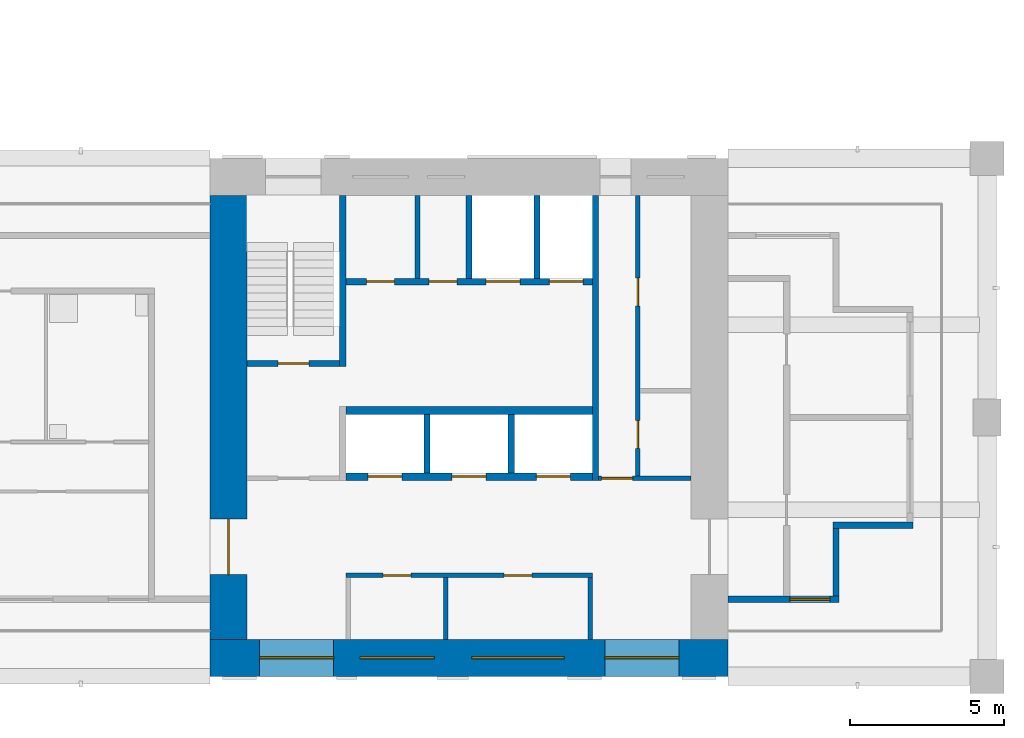
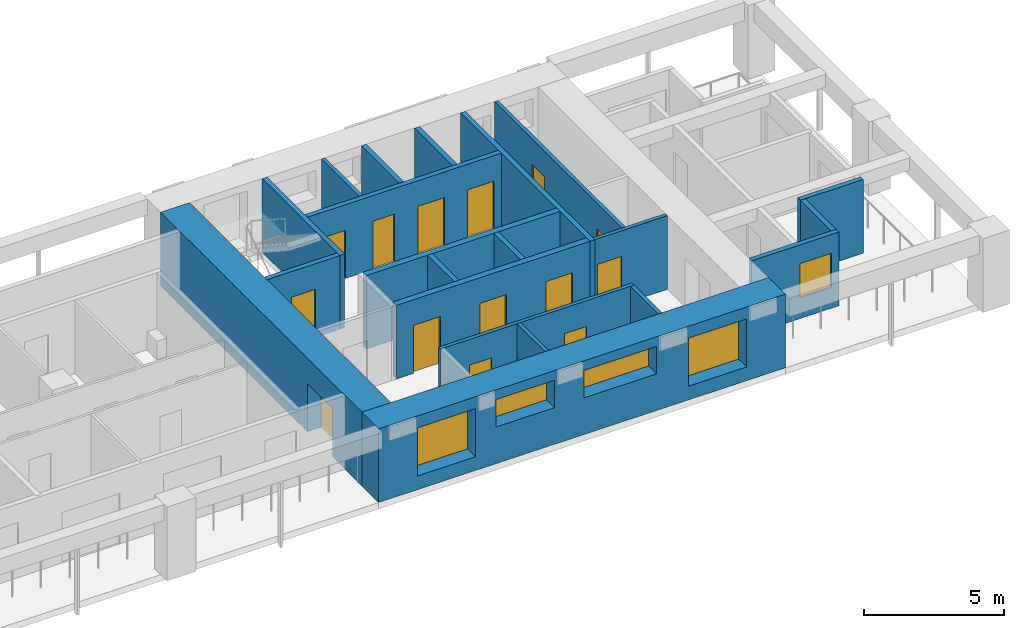
# One storey, part 4 of 11: 21 walls, 14 doors, 5 windows, 19 openings.
"""IFC4 building model written with IfcOpenShell, lengths in metres."""

from ifc_helpers import new_model, si_unit, direction, frame, frame_2d, origin, place, context, subcontext, project, spatial, rectangle, extrude, material, layer, layer_set, type_object, element, fill, save


model = new_model("IFC4")

# Units and contexts
model_context = context("Model", 3, precision=1e-05, world=origin(), true_north=direction((0.0, 1.0)))
body_context = subcontext(model_context, "Body", "Model", "MODEL_VIEW")
ifc_project = project(units=[si_unit("LENGTHUNIT", "METRE"), si_unit("AREAUNIT", "SQUARE_METRE"), si_unit("VOLUMEUNIT", "CUBIC_METRE"), si_unit("PLANEANGLEUNIT", "RADIAN"), si_unit("MASSUNIT", "GRAM", prefix="KILO")], contexts=[model_context])

# Site, building, storey
site_placement = place(None, origin())
site = spatial("IfcSite", under=ifc_project, at=site_placement, CompositionType="ELEMENT")
building_placement = place(site_placement, origin())
building = spatial("IfcBuilding", under=site, at=building_placement, Name="Vermilion Gate Residences", CompositionType="ELEMENT")
storey_placement = place(building_placement, frame((0.0, 0.0, 200.199951171875)))
storey = spatial("IfcBuildingStorey", under=building, at=storey_placement, Name="L52", CompositionType="ELEMENT", Elevation=200.199951171875)

# Walls
ifc_material_1 = material(Name="Masonry blockwork", Category="masonry")
ifc_layer_1 = layer(ifc_material_1, 0.14990234375)
ifc_layer_set_1 = layer_set([ifc_layer_1], Name="BLOCKWORK PARTITION 150 EI 120")
wall_type_1 = type_object("IfcWallType", Name="BLOCKWORK PARTITION 150 EI 120", PredefinedType="PARTITIONING", material=ifc_layer_set_1)
for number, where, z_axis, x_axis, name in (
    (1, (54.324951171875, 9.60009765625, 0.0), (0.0, 0.0, 1.0), (0.0, 1.0, 0.0), "Core room partition A52-RW-E"),
    (2, (49.64501953125, 9.60009765625, 0.0), (0.0, 0.0, 1.0), (0.0, 1.0, 0.0), "Core room partition A52-SR-P0"),
):
    element("IfcWall", number, at=place(storey_placement, frame(where, z_axis=z_axis, x_axis=x_axis)), inside=storey, type_object=wall_type_1, Name=name, PredefinedType="PARTITIONING", context=body_context, shape_type="SweptSolid", body=[
        extrude(rectangle(XDim=2.0, YDim=0.14990234375, at=frame_2d((1.0, 0.0))), origin(), (0.0, 0.0, 1.0), 3.219970703125),
    ])

# Wall, openings, doors
wall_1_placement = place(storey_placement, frame((46.39990234375, 11.675048828125, 0.0), z_axis=(0.0, 0.0, 1.0), x_axis=(1.0, 0.0, 0.0)))
wall_1 = element("IfcWall", 3, at=wall_1_placement, inside=storey, type_object=wall_type_1, Name="Core room partition A52-LR-F", PredefinedType="PARTITIONING", context=body_context, shape_type="SweptSolid", body=[
    extrude(rectangle(XDim=8.0, YDim=0.14990234375, at=frame_2d((4.0, 0.0))), origin(), (0.0, 0.0, 1.0), 3.219970703125),
])
opening_1_placement = place(wall_1_placement, frame((1.2099609375, 0.0, 0.0)))
opening_1 = element("IfcOpeningElement", 4, at=opening_1_placement, cuts=wall_1, Name="Opening DK52003", PredefinedType="OPENING", context=body_context, shape_type="SweptSolid", body=[
    extrude(rectangle(XDim=0.89990234375, YDim=2.10009765625, at=frame_2d((0.449951171875, 1.050048828125))), frame((0.0, 0.0849609375, 0.0), z_axis=(0.0, -1.0, 0.0), x_axis=(1.0, 0.0, 0.0)), (0.0, 0.0, 1.0), 0.169921875),
])
opening_2_placement = place(wall_1_placement, frame((5.135009765625, 0.0, 0.0)))
opening_2 = element("IfcOpeningElement", 5, at=opening_2_placement, cuts=wall_1, Name="Opening DK52004", PredefinedType="OPENING", context=body_context, shape_type="SweptSolid", body=[
    extrude(rectangle(XDim=0.89990234375, YDim=2.10009765625, at=frame_2d((0.449951171875, 1.050048828125))), frame((0.0, 0.0849609375, 0.0), z_axis=(0.0, -1.0, 0.0), x_axis=(1.0, 0.0, 0.0)), (0.0, 0.0, 1.0), 0.169921875),
])
ifc_material_2 = material(Name="Steel", Category="steel")
door_type_1 = type_object("IfcDoorType", Name="SERVICE ROOM DOOR FD60 900 X 2100", OperationType="SINGLE_SWING_LEFT", PredefinedType="DOOR", material=ifc_material_2)
door_1_placement = place(opening_1_placement, frame((0.89990234375, 0.0, 0.0), z_axis=(0.0, 0.0, 1.0), x_axis=(-1.0, 0.0, 0.0)))
door_1 = element("IfcDoor", 6, at=door_1_placement, inside=storey, type_object=door_type_1, Name="Refuse room A52", OperationType="SINGLE_SWING_RIGHT", OverallHeight=2.10009765625, OverallWidth=0.89990234375, PredefinedType="DOOR", context=body_context, shape_type="SweptSolid", body=[
    extrude(rectangle(XDim=0.89990234375, YDim=2.10009765625, at=frame_2d((0.449951171875, 1.050048828125))), frame((0.0, 0.02490234375, 0.0), z_axis=(0.0, -1.0, 0.0), x_axis=(1.0, 0.0, 0.0)), (0.0, 0.0, 1.0), 0.050048828125),
])
fill(opening_1, door_1)
door_2_placement = place(opening_2_placement, frame((0.89990234375, 0.0, 0.0), z_axis=(0.0, 0.0, 1.0), x_axis=(-1.0, 0.0, 0.0)))
door_2 = element("IfcDoor", 7, at=door_2_placement, inside=storey, type_object=door_type_1, Name="Parcel room A52", OperationType="SINGLE_SWING_RIGHT", OverallHeight=2.10009765625, OverallWidth=0.89990234375, PredefinedType="DOOR", context=body_context, shape_type="SweptSolid", body=[
    extrude(rectangle(XDim=0.89990234375, YDim=2.10009765625, at=frame_2d((0.449951171875, 1.050048828125))), frame((0.0, 0.02490234375, 0.0), z_axis=(0.0, -1.0, 0.0), x_axis=(1.0, 0.0, 0.0)), (0.0, 0.0, 1.0), 0.050048828125),
])
fill(opening_2, door_2)

# Wall
wall_2_placement = place(storey_placement, frame((48.72509765625, 21.300048828125, 0.0), z_axis=(0.0, 0.0, 1.0), x_axis=(0.0, 1.0, 0.0)))
element("IfcWall", 8, at=wall_2_placement, inside=storey, type_object=wall_type_1, Name="Core room partition A52-NR-P0", PredefinedType="PARTITIONING", context=body_context, shape_type="SweptSolid", body=[
    extrude(rectangle(XDim=2.699951171875, YDim=0.14990234375, at=frame_2d((1.35009765625, 0.0))), origin(), (0.0, 0.0, 1.0), 3.219970703125),
])

# Wall, opening, door
wall_3_placement = place(storey_placement, frame((54.60009765625, 14.824951171875, 0.0), z_axis=(0.0, 0.0, 1.0), x_axis=(1.0, 0.0, 0.0)))
wall_3 = element("IfcWall", 9, at=wall_3_placement, inside=storey, type_object=wall_type_1, Name="Core room partition A52-ES-S", PredefinedType="PARTITIONING", context=body_context, shape_type="SweptSolid", body=[
    extrude(rectangle(XDim=3.0, YDim=0.14990234375, at=frame_2d((1.5, 0.0))), origin(), (0.0, 0.0, 1.0), 3.219970703125),
])
opening_3_placement = place(wall_3_placement, frame((0.10009765625, 0.0, 0.0)))
opening_3 = element("IfcOpeningElement", 10, at=opening_3_placement, cuts=wall_3, Name="Opening DK52014", PredefinedType="OPENING", context=body_context, shape_type="SweptSolid", body=[
    extrude(rectangle(XDim=1.0, YDim=2.10009765625, at=frame_2d((0.5, 1.050048828125))), frame((0.0, 0.0849609375, 0.0), z_axis=(0.0, -1.0, 0.0), x_axis=(1.0, 0.0, 0.0)), (0.0, 0.0, 1.0), 0.169921875),
])
ifc_material_3 = material(Name="Steel", Category="steel")
door_type_2 = type_object("IfcDoorType", Name="FIRE DOOR FD60 1000 X 2100", OperationType="SINGLE_SWING_LEFT", PredefinedType="DOOR", material=ifc_material_3)
door_3_placement = place(opening_3_placement, frame((1.0, 0.0, 0.0), z_axis=(0.0, 0.0, 1.0), x_axis=(-1.0, 0.0, 0.0)))
door_3 = element("IfcDoor", 11, at=door_3_placement, inside=storey, type_object=door_type_2, Name="Service corridor door A52", OperationType="SINGLE_SWING_LEFT", OverallHeight=2.10009765625, OverallWidth=1.0, PredefinedType="DOOR", context=body_context, shape_type="SweptSolid", body=[
    extrude(rectangle(XDim=1.0, YDim=2.10009765625, at=frame_2d((0.5, 1.050048828125))), frame((0.0, 0.02490234375, 0.0), z_axis=(0.0, -1.0, 0.0), x_axis=(1.0, 0.0, 0.0)), (0.0, 0.0, 1.0), 0.050048828125),
])
fill(opening_3, door_3)

# Wall, openings, doors
wall_4_placement = place(storey_placement, frame((55.875, 14.89990234375, 0.0), z_axis=(0.0, 0.0, 1.0), x_axis=(0.0, 1.0, 0.0)))
wall_4 = element("IfcWall", 12, at=wall_4_placement, inside=storey, type_object=wall_type_1, Name="Core room partition A52-ES-W", PredefinedType="PARTITIONING", context=body_context, shape_type="SweptSolid", body=[
    extrude(rectangle(XDim=9.10009765625, YDim=0.14990234375, at=frame_2d((4.550048828125, 0.0))), origin(), (0.0, 0.0, 1.0), 3.219970703125),
])
opening_4_placement = place(wall_4_placement, frame((0.892578125, 0.0, 0.0)))
opening_4 = element("IfcOpeningElement", 13, at=opening_4_placement, cuts=wall_4, Name="Opening DK52015", PredefinedType="OPENING", context=body_context, shape_type="SweptSolid", body=[
    extrude(rectangle(XDim=0.89990234375, YDim=2.10009765625, at=frame_2d((0.449951171875, 1.050048828125))), frame((0.0, 0.0849609375, 0.0), z_axis=(0.0, -1.0, 0.0), x_axis=(1.0, 0.0, 0.0)), (0.0, 0.0, 1.0), 0.169921875),
])
opening_5_placement = place(wall_4_placement, frame((5.517578125, 0.0, 0.0)))
opening_5 = element("IfcOpeningElement", 14, at=opening_5_placement, cuts=wall_4, Name="Opening DK52016", PredefinedType="OPENING", context=body_context, shape_type="SweptSolid", body=[
    extrude(rectangle(XDim=0.89990234375, YDim=2.10009765625, at=frame_2d((0.449951171875, 1.050048828125))), frame((0.0, 0.0849609375, 0.0), z_axis=(0.0, -1.0, 0.0), x_axis=(1.0, 0.0, 0.0)), (0.0, 0.0, 1.0), 0.169921875),
])
door_4_placement = place(opening_4_placement, frame((0.89990234375, 0.0, 0.0), z_axis=(0.0, 0.0, 1.0), x_axis=(-1.0, 0.0, 0.0)))
door_4 = element("IfcDoor", 15, at=door_4_placement, inside=storey, type_object=door_type_1, Name="Parcel room A52", OperationType="SINGLE_SWING_RIGHT", OverallHeight=2.10009765625, OverallWidth=0.89990234375, PredefinedType="DOOR", context=body_context, shape_type="SweptSolid", body=[
    extrude(rectangle(XDim=0.89990234375, YDim=2.10009765625, at=frame_2d((0.449951171875, 1.050048828125))), frame((0.0, 0.02490234375, 0.0), z_axis=(0.0, -1.0, 0.0), x_axis=(1.0, 0.0, 0.0)), (0.0, 0.0, 1.0), 0.050048828125),
])
fill(opening_4, door_4)
door_5_placement = place(opening_5_placement, frame((0.89990234375, 0.0, 0.0), z_axis=(0.0, 0.0, 1.0), x_axis=(-1.0, 0.0, 0.0)))
door_5 = element("IfcDoor", 16, at=door_5_placement, inside=storey, type_object=door_type_1, Name="Cleaner's store A52", OperationType="SINGLE_SWING_LEFT", OverallHeight=2.10009765625, OverallWidth=0.89990234375, PredefinedType="DOOR", context=body_context, shape_type="SweptSolid", body=[
    extrude(rectangle(XDim=0.89990234375, YDim=2.10009765625, at=frame_2d((0.449951171875, 1.050048828125))), frame((0.0, 0.02490234375, 0.0), z_axis=(0.0, -1.0, 0.0), x_axis=(1.0, 0.0, 0.0)), (0.0, 0.0, 1.0), 0.050048828125),
])
fill(opening_5, door_5)

# Wall, opening, window
ifc_material_4 = material(Name="Insulated steel stud wall with terracotta rainscreen", Category="masonry")
ifc_layer_2 = layer(ifc_material_4, 0.199951171875)
ifc_layer_set_2 = layer_set([ifc_layer_2], Name="EXTERNAL WALL 200 TERRACOTTA RAINSCREEN")
wall_type_2 = type_object("IfcWallType", Name="EXTERNAL WALL 200 TERRACOTTA RAINSCREEN", PredefinedType="SOLIDWALL", material=ifc_layer_set_2)
wall_5_placement = place(storey_placement, frame((58.800048828125, 10.89990234375, 0.0), z_axis=(0.0, 0.0, 1.0), x_axis=(1.0, 0.0, 0.0)))
wall_5 = element("IfcWall", 17, at=wall_5_placement, inside=storey, type_object=wall_type_2, Name="External wall", PredefinedType="SOLIDWALL", context=body_context, shape_type="SweptSolid", body=[
    extrude(rectangle(XDim=3.599853515625, YDim=0.199951171875, at=frame_2d((1.7998046875, 0.0))), origin(), (0.0, 0.0, 1.0), 3.219970703125),
])
opening_6_placement = place(wall_5_placement, frame((2.0, 0.0, 0.89990234375)))
opening_6 = element("IfcOpeningElement", 18, at=opening_6_placement, cuts=wall_5, Name="Opening WE52015", PredefinedType="OPENING", context=body_context, shape_type="SweptSolid", body=[
    extrude(rectangle(XDim=1.300048828125, YDim=1.5, at=frame_2d((0.64990234375, 0.75))), frame((0.0, 0.10986328125, 0.0), z_axis=(0.0, -1.0, 0.0), x_axis=(1.0, 0.0, 0.0)), (0.0, 0.0, 1.0), 0.219970703125),
])
ifc_material_5 = material(Name="Aluminium and clear glass", Category="aluminium")
window_type_1 = type_object("IfcWindowType", Name="WINDOW 1300 X 1500", PartitioningType="SINGLE_PANEL", PredefinedType="WINDOW", material=ifc_material_5)
window_1_placement = place(opening_6_placement, origin())
window_1 = element("IfcWindow", 19, at=window_1_placement, inside=storey, type_object=window_type_1, Name="Window", OverallHeight=1.5, OverallWidth=1.300048828125, PartitioningType="SINGLE_PANEL", PredefinedType="WINDOW", context=body_context, shape_type="SweptSolid", body=[
    extrude(rectangle(XDim=1.300048828125, YDim=1.5, at=frame_2d((0.64990234375, 0.75))), frame((0.0, 0.030029296875, 0.0), z_axis=(0.0, -1.0, 0.0), x_axis=(1.0, 0.0, 0.0)), (0.0, 0.0, 1.0), 0.06005859375),
])
fill(opening_6, window_1)

# Walls
wall_6_placement = place(storey_placement, frame((62.300048828125, 11.0, 0.0), z_axis=(0.0, 0.0, 1.0), x_axis=(0.0, 1.0, 0.0)))
element("IfcWall", 20, at=wall_6_placement, inside=storey, type_object=wall_type_2, Name="External wall", PredefinedType="SOLIDWALL", context=body_context, shape_type="SweptSolid", body=[
    extrude(rectangle(XDim=2.199951171875, YDim=0.199951171875, at=frame_2d((1.10009765625, 0.0))), origin(), (0.0, 0.0, 1.0), 3.219970703125),
])
wall_7_placement = place(storey_placement, frame((62.199951171875, 13.300048828125, 0.0), z_axis=(0.0, 0.0, 1.0), x_axis=(1.0, 0.0, 0.0)))
element("IfcWall", 21, at=wall_7_placement, inside=storey, type_object=wall_type_2, Name="External wall", PredefinedType="SOLIDWALL", context=body_context, shape_type="SweptSolid", body=[
    extrude(rectangle(XDim=2.60009765625, YDim=0.199951171875, at=frame_2d((1.300048828125, 0.0))), origin(), (0.0, 0.0, 1.0), 3.219970703125),
])
ifc_material_6 = material(Name="Concrete C60", Category="concrete")
ifc_layer_3 = layer(ifc_material_6, 0.199951171875)
ifc_layer_set_3 = layer_set([ifc_layer_3], Name="RC CORE INTERNAL WALL 200 C60")
wall_type_3 = type_object("IfcWallType", Name="RC CORE INTERNAL WALL 200 C60", PredefinedType="SHEAR", material=ifc_layer_set_3)
for number, where, z_axis, x_axis, name in (
    (22, (49.033447265625, 15.0, 0.0), (0.0, 0.0, 1.0), (0.0, 1.0, 0.0), "Core internal wall A52-HR-D1"),
    (23, (51.7666015625, 15.0, 0.0), (0.0, 0.0, 1.0), (0.0, 1.0, 0.0), "Core internal wall A52-HR-D2"),
):
    element("IfcWall", number, at=place(storey_placement, frame(where, z_axis=z_axis, x_axis=x_axis)), inside=storey, type_object=wall_type_3, Name=name, PredefinedType="SHEAR", context=body_context, shape_type="SweptSolid", body=[
        extrude(rectangle(XDim=1.89990234375, YDim=0.199951171875, at=frame_2d((0.949951171875, 0.0))), origin(), (0.0, 0.0, 1.0), 3.219970703125),
    ])
for number, where, z_axis, x_axis, name in (
    (24, (50.39990234375, 21.300048828125, 0.0), (0.0, 0.0, 1.0), (0.0, 1.0, 0.0), "Core internal wall A52-FF-D0"),
    (25, (52.60009765625, 21.300048828125, 0.0), (0.0, 0.0, 1.0), (0.0, 1.0, 0.0), "Core internal wall A52-FF-D1"),
):
    element("IfcWall", number, at=place(storey_placement, frame(where, z_axis=z_axis, x_axis=x_axis)), inside=storey, type_object=wall_type_3, Name=name, PredefinedType="SHEAR", context=body_context, shape_type="SweptSolid", body=[
        extrude(rectangle(XDim=2.699951171875, YDim=0.199951171875, at=frame_2d((1.35009765625, 0.0))), origin(), (0.0, 0.0, 1.0), 3.219970703125),
    ])

# Wall, openings, doors
wall_8_placement = place(storey_placement, frame((46.39990234375, 21.199951171875, 0.0), z_axis=(0.0, 0.0, 1.0), x_axis=(1.0, 0.0, 0.0)))
wall_8 = element("IfcWall", 26, at=wall_8_placement, inside=storey, type_object=wall_type_3, Name="Core internal wall A52-FF-F", PredefinedType="SHEAR", context=body_context, shape_type="SweptSolid", body=[
    extrude(rectangle(XDim=8.0, YDim=0.199951171875, at=frame_2d((4.0, 0.0))), origin(), (0.0, 0.0, 1.0), 3.219970703125),
])
opening_7_placement = place(wall_8_placement, frame((0.675048828125, 0.0, 0.0)))
opening_7 = element("IfcOpeningElement", 27, at=opening_7_placement, cuts=wall_8, Name="Opening DK52008", PredefinedType="OPENING", context=body_context, shape_type="SweptSolid", body=[
    extrude(rectangle(XDim=0.89990234375, YDim=2.10009765625, at=frame_2d((0.449951171875, 1.050048828125))), frame((0.0, 0.10986328125, 0.0), z_axis=(0.0, -1.0, 0.0), x_axis=(1.0, 0.0, 0.0)), (0.0, 0.0, 1.0), 0.219970703125),
])
opening_8_placement = place(wall_8_placement, frame((2.699951171875, 0.0, 0.0)))
opening_8 = element("IfcOpeningElement", 28, at=opening_8_placement, cuts=wall_8, Name="Opening DK52009", PredefinedType="OPENING", context=body_context, shape_type="SweptSolid", body=[
    extrude(rectangle(XDim=0.89990234375, YDim=2.10009765625, at=frame_2d((0.449951171875, 1.050048828125))), frame((0.0, 0.10986328125, 0.0), z_axis=(0.0, -1.0, 0.0), x_axis=(1.0, 0.0, 0.0)), (0.0, 0.0, 1.0), 0.219970703125),
])
opening_9_placement = place(wall_8_placement, frame((4.550048828125, 0.0, 0.0)))
opening_9 = element("IfcOpeningElement", 29, at=opening_9_placement, cuts=wall_8, Name="Opening LD", PredefinedType="OPENING", context=body_context, shape_type="SweptSolid", body=[
    extrude(rectangle(XDim=1.10009765625, YDim=2.10009765625, at=frame_2d((0.550048828125, 1.050048828125))), frame((0.0, 0.10986328125, 0.0), z_axis=(0.0, -1.0, 0.0), x_axis=(1.0, 0.0, 0.0)), (0.0, 0.0, 1.0), 0.219970703125),
])
opening_10_placement = place(wall_8_placement, frame((6.60009765625, 0.0, 0.0)))
opening_10 = element("IfcOpeningElement", 30, at=opening_10_placement, cuts=wall_8, Name="Opening LD", PredefinedType="OPENING", context=body_context, shape_type="SweptSolid", body=[
    extrude(rectangle(XDim=1.10009765625, YDim=2.10009765625, at=frame_2d((0.550048828125, 1.050048828125))), frame((0.0, 0.10986328125, 0.0), z_axis=(0.0, -1.0, 0.0), x_axis=(1.0, 0.0, 0.0)), (0.0, 0.0, 1.0), 0.219970703125),
])
ifc_material_7 = material(Name="Stainless steel", Category="steel")
door_type_3 = type_object("IfcDoorType", Name="LIFT LANDING DOOR E60 1100 X 2100", OperationType="DOUBLE_DOOR_SLIDING", PredefinedType="DOOR", material=ifc_material_7)
door_6_placement = place(opening_9_placement, origin())
door_6 = element("IfcDoor", 31, at=door_6_placement, inside=storey, type_object=door_type_3, Name="Lift landing door LFA1", OperationType="DOUBLE_DOOR_SLIDING", OverallHeight=2.10009765625, OverallWidth=1.10009765625, PredefinedType="DOOR", context=body_context, shape_type="SweptSolid", body=[
    extrude(rectangle(XDim=1.10009765625, YDim=2.10009765625, at=frame_2d((0.550048828125, 1.050048828125))), frame((0.0, 0.02490234375, 0.0), z_axis=(0.0, -1.0, 0.0), x_axis=(1.0, 0.0, 0.0)), (0.0, 0.0, 1.0), 0.050048828125),
])
fill(opening_9, door_6)
door_7_placement = place(opening_10_placement, origin())
door_7 = element("IfcDoor", 32, at=door_7_placement, inside=storey, type_object=door_type_3, Name="Lift landing door LCA1", OperationType="DOUBLE_DOOR_SLIDING", OverallHeight=2.10009765625, OverallWidth=1.10009765625, PredefinedType="DOOR", context=body_context, shape_type="SweptSolid", body=[
    extrude(rectangle(XDim=1.10009765625, YDim=2.10009765625, at=frame_2d((0.550048828125, 1.050048828125))), frame((0.0, 0.02490234375, 0.0), z_axis=(0.0, -1.0, 0.0), x_axis=(1.0, 0.0, 0.0)), (0.0, 0.0, 1.0), 0.050048828125),
])
fill(opening_10, door_7)
door_8_placement = place(opening_7_placement, origin())
door_8 = element("IfcDoor", 33, at=door_8_placement, inside=storey, type_object=door_type_1, Name="Communications riser A52", OperationType="SINGLE_SWING_LEFT", OverallHeight=2.10009765625, OverallWidth=0.89990234375, PredefinedType="DOOR", context=body_context, shape_type="SweptSolid", body=[
    extrude(rectangle(XDim=0.89990234375, YDim=2.10009765625, at=frame_2d((0.449951171875, 1.050048828125))), frame((0.0, 0.02490234375, 0.0), z_axis=(0.0, -1.0, 0.0), x_axis=(1.0, 0.0, 0.0)), (0.0, 0.0, 1.0), 0.050048828125),
])
fill(opening_7, door_8)
door_9_placement = place(opening_8_placement, origin())
door_9 = element("IfcDoor", 34, at=door_9_placement, inside=storey, type_object=door_type_1, Name="Refuse room A52", OperationType="SINGLE_SWING_LEFT", OverallHeight=2.10009765625, OverallWidth=0.89990234375, PredefinedType="DOOR", context=body_context, shape_type="SweptSolid", body=[
    extrude(rectangle(XDim=0.89990234375, YDim=2.10009765625, at=frame_2d((0.449951171875, 1.050048828125))), frame((0.0, 0.02490234375, 0.0), z_axis=(0.0, -1.0, 0.0), x_axis=(1.0, 0.0, 0.0)), (0.0, 0.0, 1.0), 0.050048828125),
])
fill(opening_8, door_9)

# Wall
wall_9_placement = place(storey_placement, frame((46.300048828125, 18.449951171875, 0.0), z_axis=(0.0, 0.0, 1.0), x_axis=(0.0, 1.0, 0.0)))
element("IfcWall", 35, at=wall_9_placement, inside=storey, type_object=wall_type_3, Name="Core internal wall A52-WDIV2", PredefinedType="SHEAR", context=body_context, shape_type="SweptSolid", body=[
    extrude(rectangle(XDim=5.550048828125, YDim=0.199951171875, at=frame_2d((2.77490234375, 0.0))), origin(), (0.0, 0.0, 1.0), 3.219970703125),
])

# Wall, opening, door
wall_10_placement = place(storey_placement, frame((43.199951171875, 18.550048828125, 0.0), z_axis=(0.0, 0.0, 1.0), x_axis=(1.0, 0.0, 0.0)))
wall_10 = element("IfcWall", 36, at=wall_10_placement, inside=storey, type_object=wall_type_3, Name="Core internal wall A52-STW-S", PredefinedType="SHEAR", context=body_context, shape_type="SweptSolid", body=[
    extrude(rectangle(XDim=3.0, YDim=0.199951171875, at=frame_2d((1.5, 0.0))), origin(), (0.0, 0.0, 1.0), 3.219970703125),
])
opening_11_placement = place(wall_10_placement, frame((1.0, 0.0, 0.0)))
opening_11 = element("IfcOpeningElement", 37, at=opening_11_placement, cuts=wall_10, Name="Opening DK52013", PredefinedType="OPENING", context=body_context, shape_type="SweptSolid", body=[
    extrude(rectangle(XDim=1.0, YDim=2.10009765625, at=frame_2d((0.5, 1.050048828125))), frame((0.0, 0.10986328125, 0.0), z_axis=(0.0, -1.0, 0.0), x_axis=(1.0, 0.0, 0.0)), (0.0, 0.0, 1.0), 0.219970703125),
])
door_10_placement = place(opening_11_placement, origin())
door_10 = element("IfcDoor", 38, at=door_10_placement, inside=storey, type_object=door_type_2, Name="Stair door A52", OperationType="SINGLE_SWING_LEFT", OverallHeight=2.10009765625, OverallWidth=1.0, PredefinedType="DOOR", context=body_context, shape_type="SweptSolid", body=[
    extrude(rectangle(XDim=1.0, YDim=2.10009765625, at=frame_2d((0.5, 1.050048828125))), frame((0.0, 0.02490234375, 0.0), z_axis=(0.0, -1.0, 0.0), x_axis=(1.0, 0.0, 0.0)), (0.0, 0.0, 1.0), 0.050048828125),
])
fill(opening_11, door_10)

# Wall
wall_11_placement = place(storey_placement, frame((54.5, 14.75, 0.0), z_axis=(0.0, 0.0, 1.0), x_axis=(0.0, 1.0, 0.0)))
element("IfcWall", 39, at=wall_11_placement, inside=storey, type_object=wall_type_3, Name="Core internal wall A52-EDIV", PredefinedType="SHEAR", context=body_context, shape_type="SweptSolid", body=[
    extrude(rectangle(XDim=9.25, YDim=0.199951171875, at=frame_2d((4.625, 0.0))), origin(), (0.0, 0.0, 1.0), 3.219970703125),
])

# Wall, opening, door
ifc_material_8 = material(Name="Concrete C60", Category="concrete")
ifc_layer_4 = layer(ifc_material_8, 1.199951171875)
ifc_layer_set_4 = layer_set([ifc_layer_4], Name="RC CORE WALL 1200 C60")
wall_type_4 = type_object("IfcWallType", Name="RC CORE WALL 1200 C60", PredefinedType="SHEAR", material=ifc_layer_set_4)
wall_12_placement = place(storey_placement, frame((42.60009765625, 9.60009765625, 0.0), z_axis=(0.0, 0.0, 1.0), x_axis=(0.0, 1.0, 0.0)))
wall_12 = element("IfcWall", 40, at=wall_12_placement, inside=storey, type_object=wall_type_4, Name="Core wall A52-OUT-FR", PredefinedType="SHEAR", context=body_context, shape_type="SweptSolid", body=[
    extrude(rectangle(XDim=14.39990234375, YDim=1.199951171875, at=frame_2d((7.199951171875, 0.0))), origin(), (0.0, 0.0, 1.0), 3.219970703125),
])
opening_12_placement = place(wall_12_placement, frame((2.10009765625, 0.0, 0.0)))
opening_12 = element("IfcOpeningElement", 41, at=opening_12_placement, cuts=wall_12, Name="Opening DK52001", PredefinedType="OPENING", context=body_context, shape_type="SweptSolid", body=[
    extrude(rectangle(XDim=1.800048828125, YDim=2.10009765625, at=frame_2d((0.89990234375, 1.050048828125))), frame((0.0, 0.60986328125, 0.0), z_axis=(0.0, -1.0, 0.0), x_axis=(1.0, 0.0, 0.0)), (0.0, 0.0, 1.0), 1.219970703125),
])
ifc_material_9 = material(Name="Steel", Category="steel")
door_type_4 = type_object("IfcDoorType", Name="CORE LOBBY DOOR FD60 1800 X 2100", OperationType="DOUBLE_DOOR_SINGLE_SWING", PredefinedType="DOOR", material=ifc_material_9)
door_11_placement = place(opening_12_placement, frame((1.800048828125, 0.0, 0.0), z_axis=(0.0, 0.0, 1.0), x_axis=(-1.0, 0.0, 0.0)))
door_11 = element("IfcDoor", 42, at=door_11_placement, inside=storey, type_object=door_type_4, Name="Core lobby door A52", OperationType="DOUBLE_DOOR_SINGLE_SWING", OverallHeight=2.10009765625, OverallWidth=1.800048828125, PredefinedType="DOOR", context=body_context, shape_type="SweptSolid", body=[
    extrude(rectangle(XDim=1.800048828125, YDim=2.10009765625, at=frame_2d((0.89990234375, 1.050048828125))), frame((0.0, 0.02490234375, 0.0), z_axis=(0.0, -1.0, 0.0), x_axis=(1.0, 0.0, 0.0)), (0.0, 0.0, 1.0), 0.050048828125),
])
fill(opening_12, door_11)

# Wall, openings, windows
ifc_material_10 = material(Name="Concrete C60 red-oxide pigmented", Category="concrete")
ifc_layer_5 = layer(ifc_material_10, 1.199951171875)
ifc_layer_set_5 = layer_set([ifc_layer_5], Name="RC CORE WALL 1200 C60 RED OXIDE")
wall_type_5 = type_object("IfcWallType", Name="RC CORE WALL 1200 C60 RED OXIDE", PredefinedType="SHEAR", material=ifc_layer_set_5)
wall_13_placement = place(storey_placement, frame((42.0, 9.0, 0.0), z_axis=(0.0, 0.0, 1.0), x_axis=(1.0, 0.0, 0.0)))
wall_13 = element("IfcWall", 43, at=wall_13_placement, inside=storey, type_object=wall_type_5, Name="Core wall A52-OUT-B0", PredefinedType="SHEAR", context=body_context, shape_type="SweptSolid", body=[
    extrude(rectangle(XDim=16.800048828125, YDim=1.199951171875, at=frame_2d((8.39990234375, 0.0))), origin(), (0.0, 0.0, 1.0), 3.219970703125),
])
opening_13_placement = place(wall_13_placement, frame((1.60009765625, 0.0, 0.60009765625)))
opening_13 = element("IfcOpeningElement", 44, at=opening_13_placement, cuts=wall_13, Name="Opening WKA5201", PredefinedType="OPENING", context=body_context, shape_type="SweptSolid", body=[
    extrude(rectangle(XDim=2.39990234375, YDim=2.10009765625, at=frame_2d((1.199951171875, 1.050048828125))), frame((0.0, 0.60986328125, 0.0), z_axis=(0.0, -1.0, 0.0), x_axis=(1.0, 0.0, 0.0)), (0.0, 0.0, 1.0), 1.219970703125),
])
opening_14_placement = place(wall_13_placement, frame((4.860107421875, 0.0, 1.60009765625)))
opening_14 = element("IfcOpeningElement", 45, at=opening_14_placement, cuts=wall_13, Name="Opening WKA5202", PredefinedType="OPENING", context=body_context, shape_type="SweptSolid", body=[
    extrude(rectangle(XDim=2.39990234375, YDim=1.199951171875, at=frame_2d((1.199951171875, 0.60009765625))), frame((0.0, 0.60986328125, 0.0), z_axis=(0.0, -1.0, 0.0), x_axis=(1.0, 0.0, 0.0)), (0.0, 0.0, 1.0), 1.219970703125),
])
opening_15_placement = place(wall_13_placement, frame((8.485107421875, 0.0, 1.60009765625)))
opening_15 = element("IfcOpeningElement", 46, at=opening_15_placement, cuts=wall_13, Name="Opening WKA5203", PredefinedType="OPENING", context=body_context, shape_type="SweptSolid", body=[
    extrude(rectangle(XDim=3.0, YDim=1.199951171875, at=frame_2d((1.5, 0.60009765625))), frame((0.0, 0.60986328125, 0.0), z_axis=(0.0, -1.0, 0.0), x_axis=(1.0, 0.0, 0.0)), (0.0, 0.0, 1.0), 1.219970703125),
])
opening_16_placement = place(wall_13_placement, frame((12.800048828125, 0.0, 0.60009765625)))
opening_16 = element("IfcOpeningElement", 47, at=opening_16_placement, cuts=wall_13, Name="Opening WKA5204", PredefinedType="OPENING", context=body_context, shape_type="SweptSolid", body=[
    extrude(rectangle(XDim=2.39990234375, YDim=2.10009765625, at=frame_2d((1.199951171875, 1.050048828125))), frame((0.0, 0.60986328125, 0.0), z_axis=(0.0, -1.0, 0.0), x_axis=(1.0, 0.0, 0.0)), (0.0, 0.0, 1.0), 1.219970703125),
])
ifc_material_11 = material(Name="Aluminium and clear glass", Category="aluminium")
window_type_2 = type_object("IfcWindowType", Name="CORE LOBBY WINDOW 2400 X 2100", PartitioningType="SINGLE_PANEL", PredefinedType="WINDOW", material=ifc_material_11)
window_2_placement = place(opening_13_placement, origin())
window_2 = element("IfcWindow", 48, at=window_2_placement, inside=storey, type_object=window_type_2, Name="Core lobby window", OverallHeight=2.10009765625, OverallWidth=2.39990234375, PartitioningType="SINGLE_PANEL", PredefinedType="WINDOW", context=body_context, shape_type="SweptSolid", body=[
    extrude(rectangle(XDim=2.39990234375, YDim=2.10009765625, at=frame_2d((1.199951171875, 1.050048828125))), frame((0.0, 0.030029296875, 0.0), z_axis=(0.0, -1.0, 0.0), x_axis=(1.0, 0.0, 0.0)), (0.0, 0.0, 1.0), 0.06005859375),
])
fill(opening_13, window_2)
window_3_placement = place(opening_16_placement, origin())
window_3 = element("IfcWindow", 49, at=window_3_placement, inside=storey, type_object=window_type_2, Name="Core lobby window", OverallHeight=2.10009765625, OverallWidth=2.39990234375, PartitioningType="SINGLE_PANEL", PredefinedType="WINDOW", context=body_context, shape_type="SweptSolid", body=[
    extrude(rectangle(XDim=2.39990234375, YDim=2.10009765625, at=frame_2d((1.199951171875, 1.050048828125))), frame((0.0, 0.030029296875, 0.0), z_axis=(0.0, -1.0, 0.0), x_axis=(1.0, 0.0, 0.0)), (0.0, 0.0, 1.0), 0.06005859375),
])
fill(opening_16, window_3)
ifc_material_12 = material(Name="Aluminium frame with louvre blades", Category="aluminium")
window_type_3 = type_object("IfcWindowType", Name="CORE LOUVRE 2400 X 1200", PartitioningType="SINGLE_PANEL", PredefinedType="WINDOW", material=ifc_material_12)
window_4_placement = place(opening_14_placement, origin())
window_4 = element("IfcWindow", 50, at=window_4_placement, inside=storey, type_object=window_type_3, Name="Core louvre", OverallHeight=1.199951171875, OverallWidth=2.39990234375, PartitioningType="SINGLE_PANEL", PredefinedType="WINDOW", context=body_context, shape_type="SweptSolid", body=[
    extrude(rectangle(XDim=2.39990234375, YDim=1.199951171875, at=frame_2d((1.199951171875, 0.60009765625))), frame((0.0, 0.030029296875, 0.0), z_axis=(0.0, -1.0, 0.0), x_axis=(1.0, 0.0, 0.0)), (0.0, 0.0, 1.0), 0.06005859375),
])
fill(opening_14, window_4)
ifc_material_13 = material(Name="Aluminium frame with louvre blades", Category="aluminium")
window_type_4 = type_object("IfcWindowType", Name="CORE LOUVRE 3000 X 1200", PartitioningType="SINGLE_PANEL", PredefinedType="WINDOW", material=ifc_material_13)
window_5_placement = place(opening_15_placement, origin())
window_5 = element("IfcWindow", 51, at=window_5_placement, inside=storey, type_object=window_type_4, Name="Core louvre", OverallHeight=1.199951171875, OverallWidth=3.0, PartitioningType="SINGLE_PANEL", PredefinedType="WINDOW", context=body_context, shape_type="SweptSolid", body=[
    extrude(rectangle(XDim=3.0, YDim=1.199951171875, at=frame_2d((1.5, 0.60009765625))), frame((0.0, 0.030029296875, 0.0), z_axis=(0.0, -1.0, 0.0), x_axis=(1.0, 0.0, 0.0)), (0.0, 0.0, 1.0), 0.06005859375),
])
fill(opening_15, window_5)

# Wall, openings, doors
ifc_material_14 = material(Name="Concrete C60", Category="concrete")
ifc_layer_6 = layer(ifc_material_14, 0.25)
ifc_layer_set_6 = layer_set([ifc_layer_6], Name="RC LIFT SHAFT WALL 250 C60")
wall_type_6 = type_object("IfcWallType", Name="RC LIFT SHAFT WALL 250 C60", PredefinedType="SHEAR", material=ifc_layer_set_6)
wall_14_placement = place(storey_placement, frame((46.39990234375, 14.875, 0.0), z_axis=(0.0, 0.0, 1.0), x_axis=(1.0, 0.0, 0.0)))
wall_14 = element("IfcWall", 52, at=wall_14_placement, inside=storey, type_object=wall_type_6, Name="Lift shaft wall A52-HR-F", PredefinedType="SHEAR", context=body_context, shape_type="SweptSolid", body=[
    extrude(rectangle(XDim=8.0, YDim=0.25, at=frame_2d((4.0, 0.0))), origin(), (0.0, 0.0, 1.0), 3.219970703125),
])
opening_17_placement = place(wall_14_placement, frame((0.716552734375, 0.0, 0.0)))
opening_17 = element("IfcOpeningElement", 53, at=opening_17_placement, cuts=wall_14, Name="Opening LD", PredefinedType="OPENING", context=body_context, shape_type="SweptSolid", body=[
    extrude(rectangle(XDim=1.10009765625, YDim=2.10009765625, at=frame_2d((0.550048828125, 1.050048828125))), frame((0.0, 0.135009765625, 0.0), z_axis=(0.0, -1.0, 0.0), x_axis=(1.0, 0.0, 0.0)), (0.0, 0.0, 1.0), 0.27001953125),
])
opening_18_placement = place(wall_14_placement, frame((3.449951171875, 0.0, 0.0)))
opening_18 = element("IfcOpeningElement", 54, at=opening_18_placement, cuts=wall_14, Name="Opening LD", PredefinedType="OPENING", context=body_context, shape_type="SweptSolid", body=[
    extrude(rectangle(XDim=1.10009765625, YDim=2.10009765625, at=frame_2d((0.550048828125, 1.050048828125))), frame((0.0, 0.135009765625, 0.0), z_axis=(0.0, -1.0, 0.0), x_axis=(1.0, 0.0, 0.0)), (0.0, 0.0, 1.0), 0.27001953125),
])
opening_19_placement = place(wall_14_placement, frame((6.183349609375, 0.0, 0.0)))
opening_19 = element("IfcOpeningElement", 55, at=opening_19_placement, cuts=wall_14, Name="Opening LD", PredefinedType="OPENING", context=body_context, shape_type="SweptSolid", body=[
    extrude(rectangle(XDim=1.10009765625, YDim=2.10009765625, at=frame_2d((0.550048828125, 1.050048828125))), frame((0.0, 0.135009765625, 0.0), z_axis=(0.0, -1.0, 0.0), x_axis=(1.0, 0.0, 0.0)), (0.0, 0.0, 1.0), 0.27001953125),
])
door_12_placement = place(opening_17_placement, origin())
door_12 = element("IfcDoor", 56, at=door_12_placement, inside=storey, type_object=door_type_3, Name="Lift landing door HRA1", OperationType="DOUBLE_DOOR_SLIDING", OverallHeight=2.10009765625, OverallWidth=1.10009765625, PredefinedType="DOOR", context=body_context, shape_type="SweptSolid", body=[
    extrude(rectangle(XDim=1.10009765625, YDim=2.10009765625, at=frame_2d((0.550048828125, 1.050048828125))), frame((0.0, 0.02490234375, 0.0), z_axis=(0.0, -1.0, 0.0), x_axis=(1.0, 0.0, 0.0)), (0.0, 0.0, 1.0), 0.050048828125),
])
fill(opening_17, door_12)
door_13_placement = place(opening_18_placement, origin())
door_13 = element("IfcDoor", 57, at=door_13_placement, inside=storey, type_object=door_type_3, Name="Lift landing door HRA2", OperationType="DOUBLE_DOOR_SLIDING", OverallHeight=2.10009765625, OverallWidth=1.10009765625, PredefinedType="DOOR", context=body_context, shape_type="SweptSolid", body=[
    extrude(rectangle(XDim=1.10009765625, YDim=2.10009765625, at=frame_2d((0.550048828125, 1.050048828125))), frame((0.0, 0.02490234375, 0.0), z_axis=(0.0, -1.0, 0.0), x_axis=(1.0, 0.0, 0.0)), (0.0, 0.0, 1.0), 0.050048828125),
])
fill(opening_18, door_13)
door_14_placement = place(opening_19_placement, origin())
door_14 = element("IfcDoor", 58, at=door_14_placement, inside=storey, type_object=door_type_3, Name="Lift landing door HRA3", OperationType="DOUBLE_DOOR_SLIDING", OverallHeight=2.10009765625, OverallWidth=1.10009765625, PredefinedType="DOOR", context=body_context, shape_type="SweptSolid", body=[
    extrude(rectangle(XDim=1.10009765625, YDim=2.10009765625, at=frame_2d((0.550048828125, 1.050048828125))), frame((0.0, 0.02490234375, 0.0), z_axis=(0.0, -1.0, 0.0), x_axis=(1.0, 0.0, 0.0)), (0.0, 0.0, 1.0), 0.050048828125),
])
fill(opening_19, door_14)

# Wall
wall_15_placement = place(storey_placement, frame((46.39990234375, 17.02490234375, 0.0), z_axis=(0.0, 0.0, 1.0), x_axis=(1.0, 0.0, 0.0)))
element("IfcWall", 59, at=wall_15_placement, inside=storey, type_object=wall_type_6, Name="Lift shaft wall A52-HR-B", PredefinedType="SHEAR", context=body_context, shape_type="SweptSolid", body=[
    extrude(rectangle(XDim=8.0, YDim=0.25, at=frame_2d((4.0, 0.0))), origin(), (0.0, 0.0, 1.0), 3.219970703125),
])

save(model, "model.ifc")
